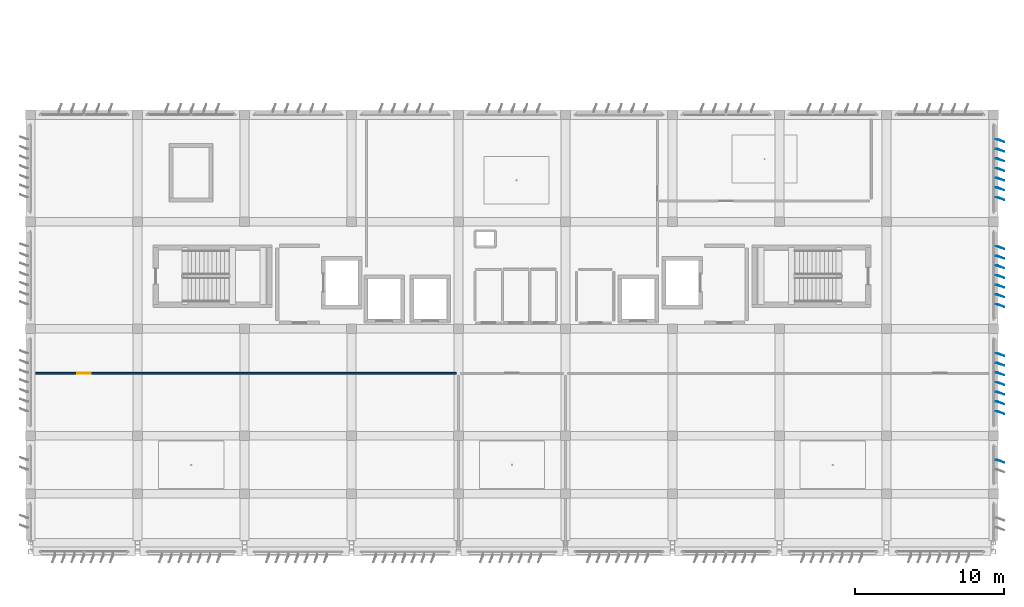
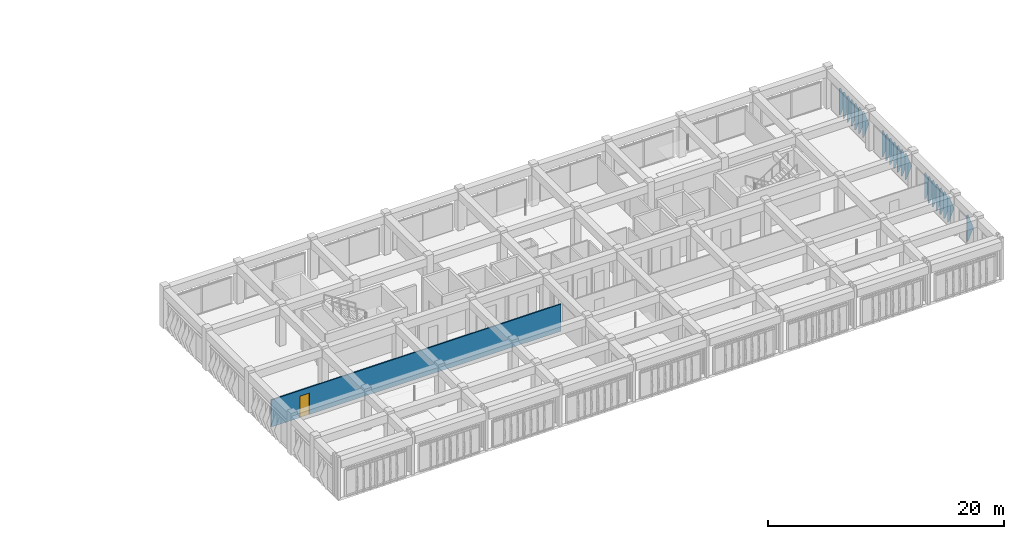
# One storey, part 33 of 53: 22 plates, 1 door, 1 wall, 1 opening.
"""IFC4 building model written with IfcOpenShell, lengths in metres."""

import ifcopenshell
import ifcopenshell.guid

model = None  # the IFC model being written
_history = None  # IfcOwnerHistory: only IFC2X3 demands one
_inside = {}  # id of a spatial element -> (the spatial element, [elements in it])
_under = {}  # id of a project, library or spatial element -> (it, [spatial elements below it])
_declared = {}  # id of a project -> (the project, [libraries it declares])
_typed = {}  # id of a type object -> (the type object, [elements of that type])
_made_of = {}  # id of a material, layer set ... -> (it, [elements and type objects made of it])


def new_model(schema):
    """Start an empty IFC model of exactly this schema.

    Asked for "IFC4X3", IfcOpenShell would pick the latest addendum, in which some entities
    have other attributes; the version numbers below select the first issue.
    IFC2X3 requires an IfcOwnerHistory on every rooted entity: one is made here for all.
    """
    global model, _history
    if schema == "IFC4X3":
        model = ifcopenshell.file(schema_version=(4, 3, 0, 0))
    else:
        model = ifcopenshell.file(schema=schema)
    _inside.clear()
    _under.clear()
    _declared.clear()
    _typed.clear()
    _made_of.clear()
    _history = None
    if model.schema == "IFC2X3":
        org = make("IfcOrganization", Name="unknown")
        user = make(
            "IfcPersonAndOrganization",
            ThePerson=make("IfcPerson", FamilyName="unknown"),
            TheOrganization=org,
        )
        app = make(
            "IfcApplication",
            ApplicationDeveloper=org,
            Version="unknown",
            ApplicationFullName="unknown",
            ApplicationIdentifier="unknown",
        )
        _history = make(
            "IfcOwnerHistory",
            OwningUser=user,
            OwningApplication=app,
            ChangeAction="ADDED",
            CreationDate=0,
        )
    return model


def make(cls, **values):
    """One entity of the class cls with the attributes given. An attribute that is None is left unset."""
    return model.create_entity(
        cls, **{name: value for name, value in values.items() if value is not None}
    )


def rooted(cls, **values):
    """An entity with a GlobalId (a new one), such as an element, a storey or a relation."""
    return make(cls, GlobalId=ifcopenshell.guid.new(), OwnerHistory=_history, **values)


def si_unit(unit_type, name, prefix=None):
    """IfcSIUnit, for example si_unit("LENGTHUNIT", "METRE", prefix="MILLI")."""
    return make("IfcSIUnit", UnitType=unit_type, Prefix=prefix, Name=name)


def assignment(units):
    """IfcUnitAssignment: the units of a project."""
    return None if units is None else make("IfcUnitAssignment", Units=units)


def point(xyz):
    """IfcCartesianPoint."""
    return None if xyz is None else make("IfcCartesianPoint", Coordinates=xyz)


def direction(xyz):
    """IfcDirection."""
    return None if xyz is None else make("IfcDirection", DirectionRatios=xyz)


def frame(location, z_axis=None, x_axis=None):
    """IfcAxis2Placement3D, a coordinate frame: its origin and axes. An axis left out is left unset."""
    return make(
        "IfcAxis2Placement3D",
        Location=point(location),
        Axis=direction(z_axis),
        RefDirection=direction(x_axis),
    )


def frame_2d(location, x_axis=None):
    """IfcAxis2Placement2D, a coordinate frame in the plane: its origin and x axis."""
    return make(
        "IfcAxis2Placement2D", Location=point(location), RefDirection=direction(x_axis)
    )


def origin():
    """The frame at (0, 0, 0) with its axes left unset."""
    return frame((0.0, 0.0, 0.0))


def place(relative_to, where):
    """IfcLocalPlacement: puts the frame where relative to a parent placement (None: the world)."""
    return make(
        "IfcLocalPlacement", PlacementRelTo=relative_to, RelativePlacement=where
    )


def context(
    kind, dimensions, precision=None, world=None, true_north=None, identifier=None
):
    """IfcGeometricRepresentationContext, for example the 3D "Model" context."""
    return make(
        "IfcGeometricRepresentationContext",
        ContextIdentifier=identifier,
        ContextType=kind,
        CoordinateSpaceDimension=dimensions,
        Precision=precision,
        WorldCoordinateSystem=world,
        TrueNorth=true_north,
    )


def subcontext(parent, identifier, kind, view, scale=None):
    """IfcGeometricRepresentationSubContext, for example "Body" below "Model"."""
    return make(
        "IfcGeometricRepresentationSubContext",
        ContextIdentifier=identifier,
        ContextType=kind,
        ParentContext=parent,
        TargetScale=scale,
        TargetView=view,
    )


def project(units=None, contexts=None):
    """IfcProject with its units and contexts."""
    return rooted(
        "IfcProject",
        Name="project",
        RepresentationContexts=contexts,
        UnitsInContext=assignment(units),
    )


def spatial(cls, under=None, at=None, **own):
    """A site, building, storey or space (cls), placed at a placement, below another one or the project."""
    s = rooted(cls, ObjectPlacement=at, **own)
    if under is not None:
        _under.setdefault(under.id(), (under, []))[1].append(s)
    return s


def point_list(points):
    """IfcCartesianPointList2D or 3D."""
    cls = (
        "IfcCartesianPointList2D" if len(points[0]) == 2 else "IfcCartesianPointList3D"
    )
    return make(cls, CoordList=points)


def profile(cls, at=None, kind="AREA", **sizes):
    """A parametric profile (cls). Its sizes go by their IFC names, for example OverallWidth=200.0."""
    return make(cls, ProfileType=kind, Position=at, **sizes)


def rectangle(**sizes):
    """IfcRectangleProfileDef."""
    return profile("IfcRectangleProfileDef", **sizes)


def extrude(swept, where, along, depth):
    """IfcExtrudedAreaSolid: the profile swept, set in the frame where, extruded along a direction by depth."""
    return make(
        "IfcExtrudedAreaSolid",
        SweptArea=swept,
        Position=where,
        ExtrudedDirection=direction(along),
        Depth=depth,
    )


def polygons(points, faces, closed=None, point_numbers=None):
    """IfcPolygonalFaceSet: a face is its outer loop, then its inner loops; points numbered from 1."""
    made = []
    for loops in faces:
        if len(loops) == 1:
            made.append(make("IfcIndexedPolygonalFace", CoordIndex=loops[0]))
        else:
            made.append(
                make(
                    "IfcIndexedPolygonalFaceWithVoids",
                    CoordIndex=loops[0],
                    InnerCoordIndices=loops[1:],
                )
            )
    return make(
        "IfcPolygonalFaceSet",
        Coordinates=point_list(points),
        Closed=closed,
        Faces=made,
        PnIndex=point_numbers,
    )


def shape(context_of_items, identifier, shape_type, items):
    """IfcShapeRepresentation: the items that make up one representation, for example the "Body"."""
    return make(
        "IfcShapeRepresentation",
        ContextOfItems=context_of_items,
        RepresentationIdentifier=identifier,
        RepresentationType=shape_type,
        Items=items,
    )


def material(Name=None, Category=None):
    """IfcMaterial."""
    return make("IfcMaterial", Name=Name, Category=Category)


def layer(
    of_material, thickness, ventilated=None, Name=None, Category=None, Priority=None
):
    """IfcMaterialLayer: one layer of a wall or slab, of a material (None: an air gap)."""
    return make(
        "IfcMaterialLayer",
        Material=of_material,
        LayerThickness=thickness,
        IsVentilated=ventilated,
        Name=Name,
        Category=Category,
        Priority=Priority,
    )


def layer_set(layers, Name=None):
    """IfcMaterialLayerSet."""
    return make("IfcMaterialLayerSet", MaterialLayers=layers, LayerSetName=Name)


def made_of(thing, what):
    """Note that an element or type object is made of a material, layer set ...; save() writes the relation."""
    if what is not None:
        _made_of.setdefault(what.id(), (what, []))[1].append(thing)
    return thing


def type_object(cls, material=None, **own):
    """A type object (cls), such as IfcWallType, which elements share."""
    return made_of(rooted(cls, **own), material)


def element(
    cls,
    number,
    at=None,
    inside=None,
    cuts=None,
    type_object=None,
    material=None,
    context=None,
    identifier="Body",
    shape_type=None,
    held_by="IfcProductDefinitionShape",
    body=None,
    shapes=None,
    **own,
):
    """One element of the class cls, such as IfcWall. Its Tag is "e" and its number.

    at: its placement. inside: the storey or other place that contains it. cuts: it is an
    opening in that element (IfcRelVoidsElement). A single representation is given by context,
    identifier, shape_type and body (its items); several are given by shapes. held_by: the class
    of the entity that holds the representations. save() writes the other relations.
    """
    e = rooted(cls, Tag="e%d" % number, ObjectPlacement=at, **own)
    if body is not None:
        shapes = [shape(context, identifier, shape_type, body)]
    if shapes is not None:
        e.Representation = make(held_by, Representations=shapes)
    if inside is not None:
        _inside.setdefault(inside.id(), (inside, []))[1].append(e)
    if cuts is not None:
        rooted(
            "IfcRelVoidsElement", RelatingBuildingElement=cuts, RelatedOpeningElement=e
        )
    if type_object is not None:
        _typed.setdefault(type_object.id(), (type_object, []))[1].append(e)
    return made_of(e, material)


def fill(opening, filler):
    """IfcRelFillsElement: the door or window that sits in an opening."""
    return rooted(
        "IfcRelFillsElement",
        RelatingOpeningElement=opening,
        RelatedBuildingElement=filler,
    )


def aggregate(whole, parts):
    """IfcRelAggregates: a whole, such as a stair, and the parts it consists of."""
    return rooted("IfcRelAggregates", RelatingObject=whole, RelatedObjects=parts)


def save(model, path):
    """Write the relations noted so far, then the file.

    IfcRelAggregates (storeys below a building ...), IfcRelContainedInSpatialStructure (elements
    in a storey), IfcRelDefinesByType, IfcRelAssociatesMaterial and IfcRelDeclares: one each for
    every whole, place, type object, material and project.
    """
    for whole, parts in _under.values():
        aggregate(whole, parts)
    for where, things in _inside.values():
        rooted(
            "IfcRelContainedInSpatialStructure",
            RelatedElements=things,
            RelatingStructure=where,
        )
    for kind, things in _typed.values():
        rooted("IfcRelDefinesByType", RelatedObjects=things, RelatingType=kind)
    for what, things in _made_of.values():
        rooted("IfcRelAssociatesMaterial", RelatedObjects=things, RelatingMaterial=what)
    for by, libraries in _declared.values():
        rooted("IfcRelDeclares", RelatingContext=by, RelatedDefinitions=libraries)
    model.write(path)


model = new_model("IFC4")

# Units and contexts
model_context = context("Model", 3, precision=1e-05, world=origin(), true_north=direction((0.0, 1.0)))
body_context = subcontext(model_context, "Body", "Model", "MODEL_VIEW")
ifc_project = project(units=[si_unit("LENGTHUNIT", "METRE"), si_unit("AREAUNIT", "SQUARE_METRE"), si_unit("VOLUMEUNIT", "CUBIC_METRE"), si_unit("PLANEANGLEUNIT", "RADIAN"), si_unit("MASSUNIT", "GRAM", prefix="KILO")], contexts=[model_context])

# Site, building, storey
site_placement = place(None, origin())
site = spatial("IfcSite", under=ifc_project, at=site_placement, CompositionType="ELEMENT")
building_placement = place(site_placement, origin())
building = spatial("IfcBuilding", under=site, at=building_placement, Name="Kazehaya Institute of Natural Sciences", CompositionType="ELEMENT")
storey_placement = place(building_placement, frame((0.0, 0.0, 33.300048828125)))
storey = spatial("IfcBuildingStorey", under=building, at=storey_placement, Name="L07", CompositionType="ELEMENT", Elevation=33.300048828125)

# Plates
ifc_material_1 = material(Name="Bronze-anodised aluminium alloy A6063S-T5", Category="aluminium")
ifc_layer_1 = layer(ifc_material_1, 0.02001953125, Name="Bronze-anodised aluminium alloy A6063S-T5", Category="aluminium")
ifc_layer_set_1 = layer_set([ifc_layer_1], Name="Bronze-anodised aluminium alloy A6063S-T5")
plate_type = type_object("IfcPlateType", Name="FIN-DF-E1", PredefinedType="USERDEFINED", material=ifc_layer_set_1)
plate_1_placement = place(storey_placement, origin())
element("IfcPlate", 1, at=plate_1_placement, inside=storey, type_object=plate_type, Name="L07 folded diamond-pyramid shading fin FIN-L07-E-0658", ObjectType="SHADING_FIN", PredefinedType="USERDEFINED", context=body_context, shape_type="Tessellation", body=[
    polygons([(119.554931640625, 12.385009765625, 0.0400390625), (119.699951171875, 12.385009765625, 0.0400390625), (120.110107421875, 12.206298828125, 1.409912109375), (119.699951171875, 12.385009765625, 2.780029296875), (119.554931640625, 12.385009765625, 2.780029296875), (119.554931640625, 12.364990234375, 0.0400390625), (119.699951171875, 12.364990234375, 0.0400390625), (120.110107421875, 12.186279296875, 1.409912109375), (119.699951171875, 12.364990234375, 2.780029296875), (119.554931640625, 12.364990234375, 2.780029296875)], [[[1, 5, 4, 3, 2]], [[6, 7, 8, 9, 10]], [[1, 2, 7, 6]], [[2, 3, 8, 7]], [[3, 4, 9, 8]], [[4, 5, 10, 9]], [[5, 1, 6, 10]]], closed=True),
])
plate_2_placement = place(storey_placement, origin())
element("IfcPlate", 2, at=plate_2_placement, inside=storey, type_object=plate_type, Name="L07 folded diamond-pyramid shading fin FIN-L07-E-0667", ObjectType="SHADING_FIN", PredefinedType="USERDEFINED", context=body_context, shape_type="Tessellation", body=[
    polygons([(119.554931640625, 19.56005859375, 0.0400390625), (119.699951171875, 19.56005859375, 0.0400390625), (120.110107421875, 19.38134765625, 1.409912109375), (119.699951171875, 19.56005859375, 2.780029296875), (119.554931640625, 19.56005859375, 2.780029296875), (119.554931640625, 19.5400390625, 0.0400390625), (119.699951171875, 19.5400390625, 0.0400390625), (120.110107421875, 19.361328125, 1.409912109375), (119.699951171875, 19.5400390625, 2.780029296875), (119.554931640625, 19.5400390625, 2.780029296875)], [[[1, 5, 4, 3, 2]], [[6, 7, 8, 9, 10]], [[1, 2, 7, 6]], [[2, 3, 8, 7]], [[3, 4, 9, 8]], [[4, 5, 10, 9]], [[5, 1, 6, 10]]], closed=True),
])
plate_3_placement = place(storey_placement, origin())
element("IfcPlate", 3, at=plate_3_placement, inside=storey, type_object=plate_type, Name="L07 folded diamond-pyramid shading fin FIN-L07-E-0668", ObjectType="SHADING_FIN", PredefinedType="USERDEFINED", context=body_context, shape_type="Tessellation", body=[
    polygons([(119.554931640625, 18.909912109375, 0.0400390625), (119.699951171875, 18.909912109375, 0.0400390625), (120.110107421875, 18.731201171875, 1.409912109375), (119.699951171875, 18.909912109375, 2.780029296875), (119.554931640625, 18.909912109375, 2.780029296875), (119.554931640625, 18.889892578125, 0.0400390625), (119.699951171875, 18.889892578125, 0.0400390625), (120.110107421875, 18.711181640625, 1.409912109375), (119.699951171875, 18.889892578125, 2.780029296875), (119.554931640625, 18.889892578125, 2.780029296875)], [[[1, 5, 4, 3, 2]], [[6, 7, 8, 9, 10]], [[1, 2, 7, 6]], [[2, 3, 8, 7]], [[3, 4, 9, 8]], [[4, 5, 10, 9]], [[5, 1, 6, 10]]], closed=True),
])
plate_4_placement = place(storey_placement, origin())
element("IfcPlate", 4, at=plate_4_placement, inside=storey, type_object=plate_type, Name="L07 folded diamond-pyramid shading fin FIN-L07-E-0669", ObjectType="SHADING_FIN", PredefinedType="USERDEFINED", context=body_context, shape_type="Tessellation", body=[
    polygons([(119.554931640625, 18.260009765625, 0.0400390625), (119.699951171875, 18.260009765625, 0.0400390625), (120.110107421875, 18.081298828125, 1.409912109375), (119.699951171875, 18.260009765625, 2.780029296875), (119.554931640625, 18.260009765625, 2.780029296875), (119.554931640625, 18.239990234375, 0.0400390625), (119.699951171875, 18.239990234375, 0.0400390625), (120.110107421875, 18.061279296875, 1.409912109375), (119.699951171875, 18.239990234375, 2.780029296875), (119.554931640625, 18.239990234375, 2.780029296875)], [[[1, 5, 4, 3, 2]], [[6, 7, 8, 9, 10]], [[1, 2, 7, 6]], [[2, 3, 8, 7]], [[3, 4, 9, 8]], [[4, 5, 10, 9]], [[5, 1, 6, 10]]], closed=True),
])
plate_5_placement = place(storey_placement, origin())
element("IfcPlate", 5, at=plate_5_placement, inside=storey, type_object=plate_type, Name="L07 folded diamond-pyramid shading fin FIN-L07-E-0670", ObjectType="SHADING_FIN", PredefinedType="USERDEFINED", context=body_context, shape_type="Tessellation", body=[
    polygons([(119.554931640625, 17.610107421875, 0.0400390625), (119.699951171875, 17.610107421875, 0.0400390625), (120.110107421875, 17.431396484375, 1.409912109375), (119.699951171875, 17.610107421875, 2.780029296875), (119.554931640625, 17.610107421875, 2.780029296875), (119.554931640625, 17.590087890625, 0.0400390625), (119.699951171875, 17.590087890625, 0.0400390625), (120.110107421875, 17.411376953125, 1.409912109375), (119.699951171875, 17.590087890625, 2.780029296875), (119.554931640625, 17.590087890625, 2.780029296875)], [[[1, 5, 4, 3, 2]], [[6, 7, 8, 9, 10]], [[1, 2, 7, 6]], [[2, 3, 8, 7]], [[3, 4, 9, 8]], [[4, 5, 10, 9]], [[5, 1, 6, 10]]], closed=True),
])
plate_6_placement = place(storey_placement, origin())
element("IfcPlate", 6, at=plate_6_placement, inside=storey, type_object=plate_type, Name="L07 folded diamond-pyramid shading fin FIN-L07-E-0671", ObjectType="SHADING_FIN", PredefinedType="USERDEFINED", context=body_context, shape_type="Tessellation", body=[
    polygons([(119.554931640625, 16.9599609375, 0.0400390625), (119.699951171875, 16.9599609375, 0.0400390625), (120.110107421875, 16.78125, 1.409912109375), (119.699951171875, 16.9599609375, 2.780029296875), (119.554931640625, 16.9599609375, 2.780029296875), (119.554931640625, 16.93994140625, 0.0400390625), (119.699951171875, 16.93994140625, 0.0400390625), (120.110107421875, 16.76123046875, 1.409912109375), (119.699951171875, 16.93994140625, 2.780029296875), (119.554931640625, 16.93994140625, 2.780029296875)], [[[1, 5, 4, 3, 2]], [[6, 7, 8, 9, 10]], [[1, 2, 7, 6]], [[2, 3, 8, 7]], [[3, 4, 9, 8]], [[4, 5, 10, 9]], [[5, 1, 6, 10]]], closed=True),
])
plate_7_placement = place(storey_placement, origin())
element("IfcPlate", 7, at=plate_7_placement, inside=storey, type_object=plate_type, Name="L07 folded diamond-pyramid shading fin FIN-L07-E-0672", ObjectType="SHADING_FIN", PredefinedType="USERDEFINED", context=body_context, shape_type="Tessellation", body=[
    polygons([(119.554931640625, 16.31005859375, 0.0400390625), (119.699951171875, 16.31005859375, 0.0400390625), (120.110107421875, 16.13134765625, 1.409912109375), (119.699951171875, 16.31005859375, 2.780029296875), (119.554931640625, 16.31005859375, 2.780029296875), (119.554931640625, 16.2900390625, 0.0400390625), (119.699951171875, 16.2900390625, 0.0400390625), (120.110107421875, 16.111328125, 1.409912109375), (119.699951171875, 16.2900390625, 2.780029296875), (119.554931640625, 16.2900390625, 2.780029296875)], [[[1, 5, 4, 3, 2]], [[6, 7, 8, 9, 10]], [[1, 2, 7, 6]], [[2, 3, 8, 7]], [[3, 4, 9, 8]], [[4, 5, 10, 9]], [[5, 1, 6, 10]]], closed=True),
])
plate_8_placement = place(storey_placement, origin())
element("IfcPlate", 8, at=plate_8_placement, inside=storey, type_object=plate_type, Name="L07 folded diamond-pyramid shading fin FIN-L07-E-0673", ObjectType="SHADING_FIN", PredefinedType="USERDEFINED", context=body_context, shape_type="Tessellation", body=[
    polygons([(119.554931640625, 15.659912109375, 0.0400390625), (119.699951171875, 15.659912109375, 0.0400390625), (120.110107421875, 15.481201171875, 1.409912109375), (119.699951171875, 15.659912109375, 2.780029296875), (119.554931640625, 15.659912109375, 2.780029296875), (119.554931640625, 15.639892578125, 0.0400390625), (119.699951171875, 15.639892578125, 0.0400390625), (120.110107421875, 15.461181640625, 1.409912109375), (119.699951171875, 15.639892578125, 2.780029296875), (119.554931640625, 15.639892578125, 2.780029296875)], [[[1, 5, 4, 3, 2]], [[6, 7, 8, 9, 10]], [[1, 2, 7, 6]], [[2, 3, 8, 7]], [[3, 4, 9, 8]], [[4, 5, 10, 9]], [[5, 1, 6, 10]]], closed=True),
])
plate_9_placement = place(storey_placement, origin())
element("IfcPlate", 9, at=plate_9_placement, inside=storey, type_object=plate_type, Name="L07 folded diamond-pyramid shading fin FIN-L07-E-0681", ObjectType="SHADING_FIN", PredefinedType="USERDEFINED", context=body_context, shape_type="Tessellation", body=[
    polygons([(119.554931640625, 26.760009765625, 0.0400390625), (119.699951171875, 26.760009765625, 0.0400390625), (120.110107421875, 26.581298828125, 1.409912109375), (119.699951171875, 26.760009765625, 2.780029296875), (119.554931640625, 26.760009765625, 2.780029296875), (119.554931640625, 26.739990234375, 0.0400390625), (119.699951171875, 26.739990234375, 0.0400390625), (120.110107421875, 26.561279296875, 1.409912109375), (119.699951171875, 26.739990234375, 2.780029296875), (119.554931640625, 26.739990234375, 2.780029296875)], [[[1, 5, 4, 3, 2]], [[6, 7, 8, 9, 10]], [[1, 2, 7, 6]], [[2, 3, 8, 7]], [[3, 4, 9, 8]], [[4, 5, 10, 9]], [[5, 1, 6, 10]]], closed=True),
])
plate_10_placement = place(storey_placement, origin())
element("IfcPlate", 10, at=plate_10_placement, inside=storey, type_object=plate_type, Name="L07 folded diamond-pyramid shading fin FIN-L07-E-0682", ObjectType="SHADING_FIN", PredefinedType="USERDEFINED", context=body_context, shape_type="Tessellation", body=[
    polygons([(119.554931640625, 26.110107421875, 0.0400390625), (119.699951171875, 26.110107421875, 0.0400390625), (120.110107421875, 25.931396484375, 1.409912109375), (119.699951171875, 26.110107421875, 2.780029296875), (119.554931640625, 26.110107421875, 2.780029296875), (119.554931640625, 26.090087890625, 0.0400390625), (119.699951171875, 26.090087890625, 0.0400390625), (120.110107421875, 25.911376953125, 1.409912109375), (119.699951171875, 26.090087890625, 2.780029296875), (119.554931640625, 26.090087890625, 2.780029296875)], [[[1, 5, 4, 3, 2]], [[6, 7, 8, 9, 10]], [[1, 2, 7, 6]], [[2, 3, 8, 7]], [[3, 4, 9, 8]], [[4, 5, 10, 9]], [[5, 1, 6, 10]]], closed=True),
])
plate_11_placement = place(storey_placement, origin())
element("IfcPlate", 11, at=plate_11_placement, inside=storey, type_object=plate_type, Name="L07 folded diamond-pyramid shading fin FIN-L07-E-0683", ObjectType="SHADING_FIN", PredefinedType="USERDEFINED", context=body_context, shape_type="Tessellation", body=[
    polygons([(119.554931640625, 25.4599609375, 0.0400390625), (119.699951171875, 25.4599609375, 0.0400390625), (120.110107421875, 25.28125, 1.409912109375), (119.699951171875, 25.4599609375, 2.780029296875), (119.554931640625, 25.4599609375, 2.780029296875), (119.554931640625, 25.43994140625, 0.0400390625), (119.699951171875, 25.43994140625, 0.0400390625), (120.110107421875, 25.26123046875, 1.409912109375), (119.699951171875, 25.43994140625, 2.780029296875), (119.554931640625, 25.43994140625, 2.780029296875)], [[[1, 5, 4, 3, 2]], [[6, 7, 8, 9, 10]], [[1, 2, 7, 6]], [[2, 3, 8, 7]], [[3, 4, 9, 8]], [[4, 5, 10, 9]], [[5, 1, 6, 10]]], closed=True),
])
plate_12_placement = place(storey_placement, origin())
element("IfcPlate", 12, at=plate_12_placement, inside=storey, type_object=plate_type, Name="L07 folded diamond-pyramid shading fin FIN-L07-E-0684", ObjectType="SHADING_FIN", PredefinedType="USERDEFINED", context=body_context, shape_type="Tessellation", body=[
    polygons([(119.554931640625, 24.81005859375, 0.0400390625), (119.699951171875, 24.81005859375, 0.0400390625), (120.110107421875, 24.63134765625, 1.409912109375), (119.699951171875, 24.81005859375, 2.780029296875), (119.554931640625, 24.81005859375, 2.780029296875), (119.554931640625, 24.7900390625, 0.0400390625), (119.699951171875, 24.7900390625, 0.0400390625), (120.110107421875, 24.611328125, 1.409912109375), (119.699951171875, 24.7900390625, 2.780029296875), (119.554931640625, 24.7900390625, 2.780029296875)], [[[1, 5, 4, 3, 2]], [[6, 7, 8, 9, 10]], [[1, 2, 7, 6]], [[2, 3, 8, 7]], [[3, 4, 9, 8]], [[4, 5, 10, 9]], [[5, 1, 6, 10]]], closed=True),
])
plate_13_placement = place(storey_placement, origin())
element("IfcPlate", 13, at=plate_13_placement, inside=storey, type_object=plate_type, Name="L07 folded diamond-pyramid shading fin FIN-L07-E-0685", ObjectType="SHADING_FIN", PredefinedType="USERDEFINED", context=body_context, shape_type="Tessellation", body=[
    polygons([(119.554931640625, 24.159912109375, 0.0400390625), (119.699951171875, 24.159912109375, 0.0400390625), (120.110107421875, 23.981201171875, 1.409912109375), (119.699951171875, 24.159912109375, 2.780029296875), (119.554931640625, 24.159912109375, 2.780029296875), (119.554931640625, 24.139892578125, 0.0400390625), (119.699951171875, 24.139892578125, 0.0400390625), (120.110107421875, 23.961181640625, 1.409912109375), (119.699951171875, 24.139892578125, 2.780029296875), (119.554931640625, 24.139892578125, 2.780029296875)], [[[1, 5, 4, 3, 2]], [[6, 7, 8, 9, 10]], [[1, 2, 7, 6]], [[2, 3, 8, 7]], [[3, 4, 9, 8]], [[4, 5, 10, 9]], [[5, 1, 6, 10]]], closed=True),
])
plate_14_placement = place(storey_placement, origin())
element("IfcPlate", 14, at=plate_14_placement, inside=storey, type_object=plate_type, Name="L07 folded diamond-pyramid shading fin FIN-L07-E-0686", ObjectType="SHADING_FIN", PredefinedType="USERDEFINED", context=body_context, shape_type="Tessellation", body=[
    polygons([(119.554931640625, 23.510009765625, 0.0400390625), (119.699951171875, 23.510009765625, 0.0400390625), (120.110107421875, 23.331298828125, 1.409912109375), (119.699951171875, 23.510009765625, 2.780029296875), (119.554931640625, 23.510009765625, 2.780029296875), (119.554931640625, 23.489990234375, 0.0400390625), (119.699951171875, 23.489990234375, 0.0400390625), (120.110107421875, 23.311279296875, 1.409912109375), (119.699951171875, 23.489990234375, 2.780029296875), (119.554931640625, 23.489990234375, 2.780029296875)], [[[1, 5, 4, 3, 2]], [[6, 7, 8, 9, 10]], [[1, 2, 7, 6]], [[2, 3, 8, 7]], [[3, 4, 9, 8]], [[4, 5, 10, 9]], [[5, 1, 6, 10]]], closed=True),
])
plate_15_placement = place(storey_placement, origin())
element("IfcPlate", 15, at=plate_15_placement, inside=storey, type_object=plate_type, Name="L07 folded diamond-pyramid shading fin FIN-L07-E-0687", ObjectType="SHADING_FIN", PredefinedType="USERDEFINED", context=body_context, shape_type="Tessellation", body=[
    polygons([(119.554931640625, 22.860107421875, 0.0400390625), (119.699951171875, 22.860107421875, 0.0400390625), (120.110107421875, 22.681396484375, 1.409912109375), (119.699951171875, 22.860107421875, 2.780029296875), (119.554931640625, 22.860107421875, 2.780029296875), (119.554931640625, 22.840087890625, 0.0400390625), (119.699951171875, 22.840087890625, 0.0400390625), (120.110107421875, 22.661376953125, 1.409912109375), (119.699951171875, 22.840087890625, 2.780029296875), (119.554931640625, 22.840087890625, 2.780029296875)], [[[1, 5, 4, 3, 2]], [[6, 7, 8, 9, 10]], [[1, 2, 7, 6]], [[2, 3, 8, 7]], [[3, 4, 9, 8]], [[4, 5, 10, 9]], [[5, 1, 6, 10]]], closed=True),
])
plate_16_placement = place(storey_placement, origin())
element("IfcPlate", 16, at=plate_16_placement, inside=storey, type_object=plate_type, Name="L07 folded diamond-pyramid shading fin FIN-L07-E-0695", ObjectType="SHADING_FIN", PredefinedType="USERDEFINED", context=body_context, shape_type="Tessellation", body=[
    polygons([(119.554931640625, 33.9599609375, 0.0400390625), (119.699951171875, 33.9599609375, 0.0400390625), (120.110107421875, 33.78125, 1.409912109375), (119.699951171875, 33.9599609375, 2.780029296875), (119.554931640625, 33.9599609375, 2.780029296875), (119.554931640625, 33.93994140625, 0.0400390625), (119.699951171875, 33.93994140625, 0.0400390625), (120.110107421875, 33.76123046875, 1.409912109375), (119.699951171875, 33.93994140625, 2.780029296875), (119.554931640625, 33.93994140625, 2.780029296875)], [[[1, 5, 4, 3, 2]], [[6, 7, 8, 9, 10]], [[1, 2, 7, 6]], [[2, 3, 8, 7]], [[3, 4, 9, 8]], [[4, 5, 10, 9]], [[5, 1, 6, 10]]], closed=True),
])
plate_17_placement = place(storey_placement, origin())
element("IfcPlate", 17, at=plate_17_placement, inside=storey, type_object=plate_type, Name="L07 folded diamond-pyramid shading fin FIN-L07-E-0696", ObjectType="SHADING_FIN", PredefinedType="USERDEFINED", context=body_context, shape_type="Tessellation", body=[
    polygons([(119.554931640625, 33.31005859375, 0.0400390625), (119.699951171875, 33.31005859375, 0.0400390625), (120.110107421875, 33.13134765625, 1.409912109375), (119.699951171875, 33.31005859375, 2.780029296875), (119.554931640625, 33.31005859375, 2.780029296875), (119.554931640625, 33.2900390625, 0.0400390625), (119.699951171875, 33.2900390625, 0.0400390625), (120.110107421875, 33.111328125, 1.409912109375), (119.699951171875, 33.2900390625, 2.780029296875), (119.554931640625, 33.2900390625, 2.780029296875)], [[[1, 5, 4, 3, 2]], [[6, 7, 8, 9, 10]], [[1, 2, 7, 6]], [[2, 3, 8, 7]], [[3, 4, 9, 8]], [[4, 5, 10, 9]], [[5, 1, 6, 10]]], closed=True),
])
plate_18_placement = place(storey_placement, origin())
element("IfcPlate", 18, at=plate_18_placement, inside=storey, type_object=plate_type, Name="L07 folded diamond-pyramid shading fin FIN-L07-E-0697", ObjectType="SHADING_FIN", PredefinedType="USERDEFINED", context=body_context, shape_type="Tessellation", body=[
    polygons([(119.554931640625, 32.659912109375, 0.0400390625), (119.699951171875, 32.659912109375, 0.0400390625), (120.110107421875, 32.481201171875, 1.409912109375), (119.699951171875, 32.659912109375, 2.780029296875), (119.554931640625, 32.659912109375, 2.780029296875), (119.554931640625, 32.639892578125, 0.0400390625), (119.699951171875, 32.639892578125, 0.0400390625), (120.110107421875, 32.461181640625, 1.409912109375), (119.699951171875, 32.639892578125, 2.780029296875), (119.554931640625, 32.639892578125, 2.780029296875)], [[[1, 5, 4, 3, 2]], [[6, 7, 8, 9, 10]], [[1, 2, 7, 6]], [[2, 3, 8, 7]], [[3, 4, 9, 8]], [[4, 5, 10, 9]], [[5, 1, 6, 10]]], closed=True),
])
plate_19_placement = place(storey_placement, origin())
element("IfcPlate", 19, at=plate_19_placement, inside=storey, type_object=plate_type, Name="L07 folded diamond-pyramid shading fin FIN-L07-E-0698", ObjectType="SHADING_FIN", PredefinedType="USERDEFINED", context=body_context, shape_type="Tessellation", body=[
    polygons([(119.554931640625, 32.010009765625, 0.0400390625), (119.699951171875, 32.010009765625, 0.0400390625), (120.110107421875, 31.831298828125, 1.409912109375), (119.699951171875, 32.010009765625, 2.780029296875), (119.554931640625, 32.010009765625, 2.780029296875), (119.554931640625, 31.989990234375, 0.0400390625), (119.699951171875, 31.989990234375, 0.0400390625), (120.110107421875, 31.811279296875, 1.409912109375), (119.699951171875, 31.989990234375, 2.780029296875), (119.554931640625, 31.989990234375, 2.780029296875)], [[[1, 5, 4, 3, 2]], [[6, 7, 8, 9, 10]], [[1, 2, 7, 6]], [[2, 3, 8, 7]], [[3, 4, 9, 8]], [[4, 5, 10, 9]], [[5, 1, 6, 10]]], closed=True),
])
plate_20_placement = place(storey_placement, origin())
element("IfcPlate", 20, at=plate_20_placement, inside=storey, type_object=plate_type, Name="L07 folded diamond-pyramid shading fin FIN-L07-E-0699", ObjectType="SHADING_FIN", PredefinedType="USERDEFINED", context=body_context, shape_type="Tessellation", body=[
    polygons([(119.554931640625, 31.360107421875, 0.0400390625), (119.699951171875, 31.360107421875, 0.0400390625), (120.110107421875, 31.181396484375, 1.409912109375), (119.699951171875, 31.360107421875, 2.780029296875), (119.554931640625, 31.360107421875, 2.780029296875), (119.554931640625, 31.340087890625, 0.0400390625), (119.699951171875, 31.340087890625, 0.0400390625), (120.110107421875, 31.161376953125, 1.409912109375), (119.699951171875, 31.340087890625, 2.780029296875), (119.554931640625, 31.340087890625, 2.780029296875)], [[[1, 5, 4, 3, 2]], [[6, 7, 8, 9, 10]], [[1, 2, 7, 6]], [[2, 3, 8, 7]], [[3, 4, 9, 8]], [[4, 5, 10, 9]], [[5, 1, 6, 10]]], closed=True),
])
plate_21_placement = place(storey_placement, origin())
element("IfcPlate", 21, at=plate_21_placement, inside=storey, type_object=plate_type, Name="L07 folded diamond-pyramid shading fin FIN-L07-E-0700", ObjectType="SHADING_FIN", PredefinedType="USERDEFINED", context=body_context, shape_type="Tessellation", body=[
    polygons([(119.554931640625, 30.7099609375, 0.0400390625), (119.699951171875, 30.7099609375, 0.0400390625), (120.110107421875, 30.53125, 1.409912109375), (119.699951171875, 30.7099609375, 2.780029296875), (119.554931640625, 30.7099609375, 2.780029296875), (119.554931640625, 30.68994140625, 0.0400390625), (119.699951171875, 30.68994140625, 0.0400390625), (120.110107421875, 30.51123046875, 1.409912109375), (119.699951171875, 30.68994140625, 2.780029296875), (119.554931640625, 30.68994140625, 2.780029296875)], [[[1, 5, 4, 3, 2]], [[6, 7, 8, 9, 10]], [[1, 2, 7, 6]], [[2, 3, 8, 7]], [[3, 4, 9, 8]], [[4, 5, 10, 9]], [[5, 1, 6, 10]]], closed=True),
])
plate_22_placement = place(storey_placement, origin())
element("IfcPlate", 22, at=plate_22_placement, inside=storey, type_object=plate_type, Name="L07 folded diamond-pyramid shading fin FIN-L07-E-0701", ObjectType="SHADING_FIN", PredefinedType="USERDEFINED", context=body_context, shape_type="Tessellation", body=[
    polygons([(119.554931640625, 30.06005859375, 0.0400390625), (119.699951171875, 30.06005859375, 0.0400390625), (120.110107421875, 29.88134765625, 1.409912109375), (119.699951171875, 30.06005859375, 2.780029296875), (119.554931640625, 30.06005859375, 2.780029296875), (119.554931640625, 30.0400390625, 0.0400390625), (119.699951171875, 30.0400390625, 0.0400390625), (120.110107421875, 29.861328125, 1.409912109375), (119.699951171875, 30.0400390625, 2.780029296875), (119.554931640625, 30.0400390625, 2.780029296875)], [[[1, 5, 4, 3, 2]], [[6, 7, 8, 9, 10]], [[1, 2, 7, 6]], [[2, 3, 8, 7]], [[3, 4, 9, 8]], [[4, 5, 10, 9]], [[5, 1, 6, 10]]], closed=True),
])

# Wall, opening, door
ifc_material_2 = material(Name="Gypsum write-up office partition", Category="gypsum")
ifc_layer_2 = layer(ifc_material_2, 0.1201171875, Name="Gypsum write-up office partition", Category="gypsum")
ifc_layer_set_2 = layer_set([ifc_layer_2], Name="Gypsum write-up office partition")
wall_type = type_object("IfcWallType", Name="WL-PART-120", PredefinedType="PARTITIONING", material=ifc_layer_set_2)
wall_placement = place(storey_placement, frame((54.949951171875, 18.199951171875, 0.0), z_axis=(0.0, 0.0, 1.0), x_axis=(1.0, 0.0, 0.0)))
wall = element("IfcWall", 23, at=wall_placement, inside=storey, type_object=wall_type, Name="L07 Catalysis Synthesis Laboratory partition IW-L07-0345", PredefinedType="PARTITIONING", context=body_context, shape_type="SweptSolid", body=[
    extrude(rectangle(XDim=28.300048828125, YDim=0.1201171875, at=frame_2d((14.14990234375, 0.0))), origin(), (0.0, 0.0, 1.0), 2.800048828125),
])
opening_placement = place(wall_placement, frame((2.800048828125, 0.0, 0.0)))
opening = element("IfcOpeningElement", 24, at=opening_placement, cuts=wall, Name="Opening D-L07-0190", PredefinedType="OPENING", context=body_context, shape_type="SweptSolid", body=[
    extrude(rectangle(XDim=0.89990234375, YDim=2.219970703125, at=frame_2d((0.449951171875, 1.10986328125))), frame((0.0, 0.070068359375, 0.0), z_axis=(0.0, -1.0, 0.0), x_axis=(1.0, 0.0, 0.0)), (0.0, 0.0, 1.0), 0.14013671875),
])
ifc_material_3 = material(Name="Flush timber and aluminium laboratory door", Category="wood")
door_type = type_object("IfcDoorType", Name="DT-INT-04", OperationType="NOTDEFINED", PredefinedType="DOOR", material=ifc_material_3)
door_placement = place(opening_placement, origin())
door = element("IfcDoor", 25, at=door_placement, inside=storey, type_object=door_type, Name="L07 Catalysis Synthesis Laboratory door D-L07-0190", OperationType="SINGLE_SWING_LEFT", OverallHeight=2.219970703125, OverallWidth=0.89990234375, PredefinedType="DOOR", context=body_context, shape_type="SweptSolid", body=[
    extrude(rectangle(XDim=0.89990234375, YDim=2.219970703125, at=frame_2d((0.449951171875, 1.10986328125))), frame((0.0, 0.02490234375, 0.0), z_axis=(0.0, -1.0, 0.0), x_axis=(1.0, 0.0, 0.0)), (0.0, 0.0, 1.0), 0.050048828125),
])
fill(opening, door)

save(model, "model.ifc")
